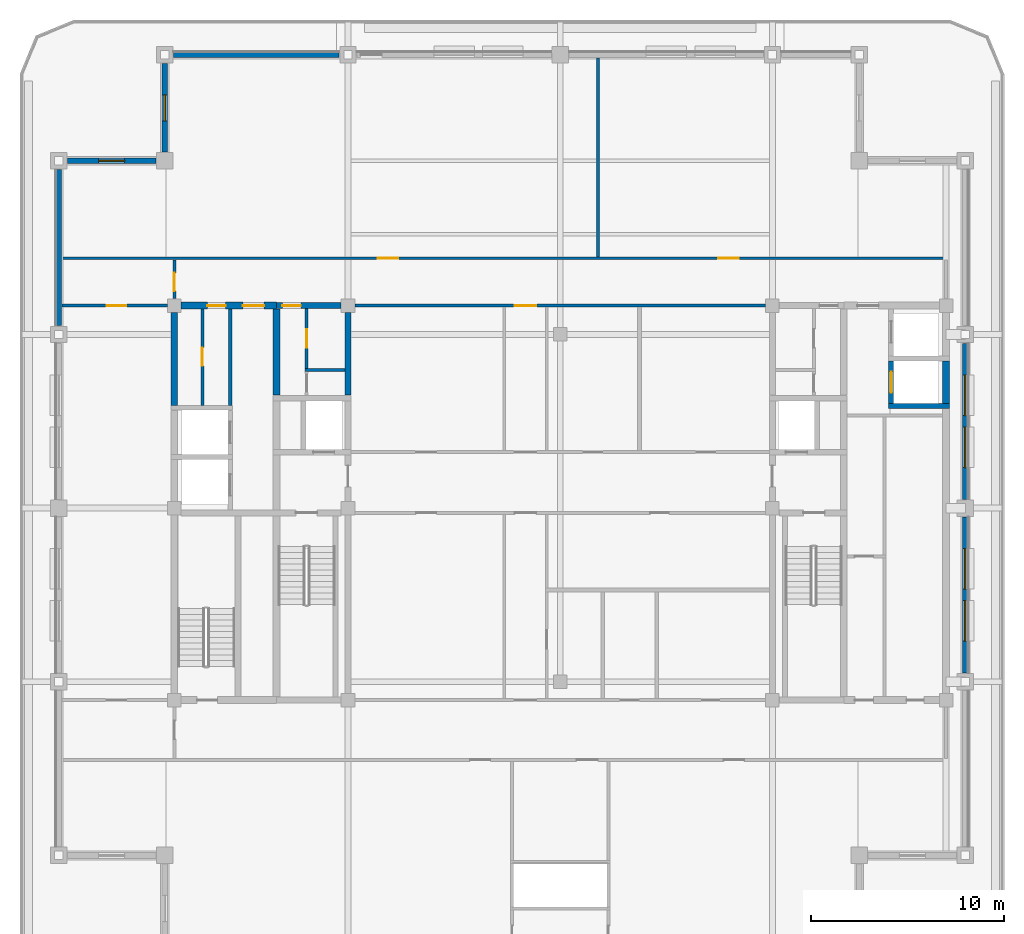
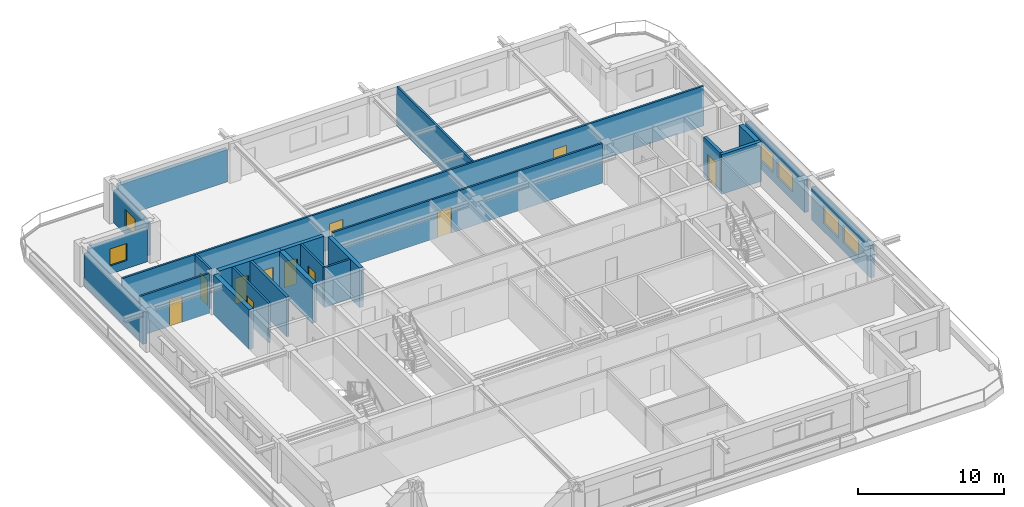
# One storey, part 5 of 11: 23 walls, 11 doors, 6 windows, 17 openings.
"""IFC4 building model written with IfcOpenShell, lengths in metres."""

import ifcopenshell
import ifcopenshell.guid

model = None  # the IFC model being written
_history = None  # IfcOwnerHistory: only IFC2X3 demands one
_inside = {}  # id of a spatial element -> (the spatial element, [elements in it])
_under = {}  # id of a project, library or spatial element -> (it, [spatial elements below it])
_declared = {}  # id of a project -> (the project, [libraries it declares])
_typed = {}  # id of a type object -> (the type object, [elements of that type])
_made_of = {}  # id of a material, layer set ... -> (it, [elements and type objects made of it])


def new_model(schema):
    """Start an empty IFC model of exactly this schema.

    Asked for "IFC4X3", IfcOpenShell would pick the latest addendum, in which some entities
    have other attributes; the version numbers below select the first issue.
    IFC2X3 requires an IfcOwnerHistory on every rooted entity: one is made here for all.
    """
    global model, _history
    if schema == "IFC4X3":
        model = ifcopenshell.file(schema_version=(4, 3, 0, 0))
    else:
        model = ifcopenshell.file(schema=schema)
    _inside.clear()
    _under.clear()
    _declared.clear()
    _typed.clear()
    _made_of.clear()
    _history = None
    if model.schema == "IFC2X3":
        org = make("IfcOrganization", Name="unknown")
        user = make(
            "IfcPersonAndOrganization",
            ThePerson=make("IfcPerson", FamilyName="unknown"),
            TheOrganization=org,
        )
        app = make(
            "IfcApplication",
            ApplicationDeveloper=org,
            Version="unknown",
            ApplicationFullName="unknown",
            ApplicationIdentifier="unknown",
        )
        _history = make(
            "IfcOwnerHistory",
            OwningUser=user,
            OwningApplication=app,
            ChangeAction="ADDED",
            CreationDate=0,
        )
    return model


def make(cls, **values):
    """One entity of the class cls with the attributes given. An attribute that is None is left unset."""
    return model.create_entity(
        cls, **{name: value for name, value in values.items() if value is not None}
    )


def rooted(cls, **values):
    """An entity with a GlobalId (a new one), such as an element, a storey or a relation."""
    return make(cls, GlobalId=ifcopenshell.guid.new(), OwnerHistory=_history, **values)


def si_unit(unit_type, name, prefix=None):
    """IfcSIUnit, for example si_unit("LENGTHUNIT", "METRE", prefix="MILLI")."""
    return make("IfcSIUnit", UnitType=unit_type, Prefix=prefix, Name=name)


def assignment(units):
    """IfcUnitAssignment: the units of a project."""
    return None if units is None else make("IfcUnitAssignment", Units=units)


def point(xyz):
    """IfcCartesianPoint."""
    return None if xyz is None else make("IfcCartesianPoint", Coordinates=xyz)


def direction(xyz):
    """IfcDirection."""
    return None if xyz is None else make("IfcDirection", DirectionRatios=xyz)


def frame(location, z_axis=None, x_axis=None):
    """IfcAxis2Placement3D, a coordinate frame: its origin and axes. An axis left out is left unset."""
    return make(
        "IfcAxis2Placement3D",
        Location=point(location),
        Axis=direction(z_axis),
        RefDirection=direction(x_axis),
    )


def frame_2d(location, x_axis=None):
    """IfcAxis2Placement2D, a coordinate frame in the plane: its origin and x axis."""
    return make(
        "IfcAxis2Placement2D", Location=point(location), RefDirection=direction(x_axis)
    )


def origin():
    """The frame at (0, 0, 0) with its axes left unset."""
    return frame((0.0, 0.0, 0.0))


def place(relative_to, where):
    """IfcLocalPlacement: puts the frame where relative to a parent placement (None: the world)."""
    return make(
        "IfcLocalPlacement", PlacementRelTo=relative_to, RelativePlacement=where
    )


def context(
    kind, dimensions, precision=None, world=None, true_north=None, identifier=None
):
    """IfcGeometricRepresentationContext, for example the 3D "Model" context."""
    return make(
        "IfcGeometricRepresentationContext",
        ContextIdentifier=identifier,
        ContextType=kind,
        CoordinateSpaceDimension=dimensions,
        Precision=precision,
        WorldCoordinateSystem=world,
        TrueNorth=true_north,
    )


def subcontext(parent, identifier, kind, view, scale=None):
    """IfcGeometricRepresentationSubContext, for example "Body" below "Model"."""
    return make(
        "IfcGeometricRepresentationSubContext",
        ContextIdentifier=identifier,
        ContextType=kind,
        ParentContext=parent,
        TargetScale=scale,
        TargetView=view,
    )


def project(units=None, contexts=None):
    """IfcProject with its units and contexts."""
    return rooted(
        "IfcProject",
        Name="project",
        RepresentationContexts=contexts,
        UnitsInContext=assignment(units),
    )


def spatial(cls, under=None, at=None, **own):
    """A site, building, storey or space (cls), placed at a placement, below another one or the project."""
    s = rooted(cls, ObjectPlacement=at, **own)
    if under is not None:
        _under.setdefault(under.id(), (under, []))[1].append(s)
    return s


def profile(cls, at=None, kind="AREA", **sizes):
    """A parametric profile (cls). Its sizes go by their IFC names, for example OverallWidth=200.0."""
    return make(cls, ProfileType=kind, Position=at, **sizes)


def rectangle(**sizes):
    """IfcRectangleProfileDef."""
    return profile("IfcRectangleProfileDef", **sizes)


def extrude(swept, where, along, depth):
    """IfcExtrudedAreaSolid: the profile swept, set in the frame where, extruded along a direction by depth."""
    return make(
        "IfcExtrudedAreaSolid",
        SweptArea=swept,
        Position=where,
        ExtrudedDirection=direction(along),
        Depth=depth,
    )


def shape(context_of_items, identifier, shape_type, items):
    """IfcShapeRepresentation: the items that make up one representation, for example the "Body"."""
    return make(
        "IfcShapeRepresentation",
        ContextOfItems=context_of_items,
        RepresentationIdentifier=identifier,
        RepresentationType=shape_type,
        Items=items,
    )


def material(Name=None, Category=None):
    """IfcMaterial."""
    return make("IfcMaterial", Name=Name, Category=Category)


def layer(
    of_material, thickness, ventilated=None, Name=None, Category=None, Priority=None
):
    """IfcMaterialLayer: one layer of a wall or slab, of a material (None: an air gap)."""
    return make(
        "IfcMaterialLayer",
        Material=of_material,
        LayerThickness=thickness,
        IsVentilated=ventilated,
        Name=Name,
        Category=Category,
        Priority=Priority,
    )


def layer_set(layers, Name=None):
    """IfcMaterialLayerSet."""
    return make("IfcMaterialLayerSet", MaterialLayers=layers, LayerSetName=Name)


def made_of(thing, what):
    """Note that an element or type object is made of a material, layer set ...; save() writes the relation."""
    if what is not None:
        _made_of.setdefault(what.id(), (what, []))[1].append(thing)
    return thing


def type_object(cls, material=None, **own):
    """A type object (cls), such as IfcWallType, which elements share."""
    return made_of(rooted(cls, **own), material)


def element(
    cls,
    number,
    at=None,
    inside=None,
    cuts=None,
    type_object=None,
    material=None,
    context=None,
    identifier="Body",
    shape_type=None,
    held_by="IfcProductDefinitionShape",
    body=None,
    shapes=None,
    **own,
):
    """One element of the class cls, such as IfcWall. Its Tag is "e" and its number.

    at: its placement. inside: the storey or other place that contains it. cuts: it is an
    opening in that element (IfcRelVoidsElement). A single representation is given by context,
    identifier, shape_type and body (its items); several are given by shapes. held_by: the class
    of the entity that holds the representations. save() writes the other relations.
    """
    e = rooted(cls, Tag="e%d" % number, ObjectPlacement=at, **own)
    if body is not None:
        shapes = [shape(context, identifier, shape_type, body)]
    if shapes is not None:
        e.Representation = make(held_by, Representations=shapes)
    if inside is not None:
        _inside.setdefault(inside.id(), (inside, []))[1].append(e)
    if cuts is not None:
        rooted(
            "IfcRelVoidsElement", RelatingBuildingElement=cuts, RelatedOpeningElement=e
        )
    if type_object is not None:
        _typed.setdefault(type_object.id(), (type_object, []))[1].append(e)
    return made_of(e, material)


def fill(opening, filler):
    """IfcRelFillsElement: the door or window that sits in an opening."""
    return rooted(
        "IfcRelFillsElement",
        RelatingOpeningElement=opening,
        RelatedBuildingElement=filler,
    )


def aggregate(whole, parts):
    """IfcRelAggregates: a whole, such as a stair, and the parts it consists of."""
    return rooted("IfcRelAggregates", RelatingObject=whole, RelatedObjects=parts)


def save(model, path):
    """Write the relations noted so far, then the file.

    IfcRelAggregates (storeys below a building ...), IfcRelContainedInSpatialStructure (elements
    in a storey), IfcRelDefinesByType, IfcRelAssociatesMaterial and IfcRelDeclares: one each for
    every whole, place, type object, material and project.
    """
    for whole, parts in _under.values():
        aggregate(whole, parts)
    for where, things in _inside.values():
        rooted(
            "IfcRelContainedInSpatialStructure",
            RelatedElements=things,
            RelatingStructure=where,
        )
    for kind, things in _typed.values():
        rooted("IfcRelDefinesByType", RelatedObjects=things, RelatingType=kind)
    for what, things in _made_of.values():
        rooted("IfcRelAssociatesMaterial", RelatedObjects=things, RelatingMaterial=what)
    for by, libraries in _declared.values():
        rooted("IfcRelDeclares", RelatingContext=by, RelatedDefinitions=libraries)
    model.write(path)


model = new_model("IFC4")

# Units and contexts
model_context = context("Model", 3, precision=1e-05, world=origin(), true_north=direction((0.0, 1.0)))
body_context = subcontext(model_context, "Body", "Model", "MODEL_VIEW")
ifc_project = project(units=[si_unit("LENGTHUNIT", "METRE"), si_unit("AREAUNIT", "SQUARE_METRE"), si_unit("VOLUMEUNIT", "CUBIC_METRE"), si_unit("PLANEANGLEUNIT", "RADIAN"), si_unit("MASSUNIT", "GRAM", prefix="KILO")], contexts=[model_context])

# Site, building, storey
site_placement = place(None, origin())
site = spatial("IfcSite", under=ifc_project, at=site_placement, CompositionType="ELEMENT")
building_placement = place(site_placement, origin())
building = spatial("IfcBuilding", under=site, at=building_placement, Name="Zulmaris Gate Convention Tower", CompositionType="ELEMENT")
storey_placement = place(building_placement, frame((0.0, 0.0, 274.320068359375)))
storey = spatial("IfcBuildingStorey", under=building, at=storey_placement, Name="L73", CompositionType="ELEMENT", Elevation=274.320068359375)

# Wall
ifc_material_1 = material(Name="Concrete C50/60", Category="concrete")
ifc_layer_1 = layer(ifc_material_1, 0.25, Name="Concrete C50/60")
ifc_layer_set_1 = layer_set([ifc_layer_1], Name="Concrete C50/60")
wall_type_1 = type_object("IfcWallType", Name="CORE-250", PredefinedType="SOLIDWALL", material=ifc_layer_set_1)
wall_1_placement = place(storey_placement, frame((17.02490234375, 5.300048828125, 0.0), z_axis=(0.0, 0.0, 1.0), x_axis=(1.0, 0.0, 0.0)))
element("IfcWall", 1, at=wall_1_placement, inside=storey, type_object=wall_type_1, Name="WL-L73-011", PredefinedType="SOLIDWALL", context=body_context, shape_type="SweptSolid", body=[
    extrude(rectangle(XDim=3.150146484375, YDim=0.25, at=frame_2d((1.5751953125, 0.0))), origin(), (0.0, 0.0, 1.0), 3.31494140625),
])

# Wall, opening, door
wall_2_placement = place(storey_placement, frame((17.14990234375, 5.427001953125, 0.0), z_axis=(0.0, 0.0, 1.0), x_axis=(0.0, 1.0, 0.0)))
wall_2 = element("IfcWall", 2, at=wall_2_placement, inside=storey, type_object=wall_type_1, Name="WL-L73-061", PredefinedType="SOLIDWALL", context=body_context, shape_type="SweptSolid", body=[
    extrude(rectangle(XDim=2.196044921875, YDim=0.25, at=frame_2d((1.09814453125, 0.0))), origin(), (0.0, 0.0, 1.0), 3.31494140625),
])
opening_1_placement = place(wall_2_placement, frame((0.548095703125, 0.0, 0.0)))
opening_1 = element("IfcOpeningElement", 3, at=opening_1_placement, cuts=wall_2, Name="Opening D-06", PredefinedType="OPENING", context=body_context, shape_type="SweptSolid", body=[
    extrude(rectangle(XDim=1.10009765625, YDim=2.199951171875, at=frame_2d((0.550048828125, 1.10009765625))), frame((0.0, 0.135009765625, 0.0), z_axis=(0.0, -1.0, 0.0), x_axis=(1.0, 0.0, 0.0)), (0.0, 0.0, 1.0), 0.27001953125),
])
ifc_material_2 = material(Name="Brushed Stainless Steel", Category="steel")
door_type_1 = type_object("IfcDoorType", Name="LD-1100", OperationType="NOTDEFINED", PredefinedType="DOOR", material=ifc_material_2)
door_1_placement = place(opening_1_placement, origin())
door_1 = element("IfcDoor", 4, at=door_1_placement, inside=storey, type_object=door_type_1, Name="L73 Lift Landing Door HP-01 19", OperationType="SLIDING_TO_RIGHT", OverallHeight=2.199951171875, OverallWidth=1.10009765625, PredefinedType="DOOR", context=body_context, shape_type="SweptSolid", body=[
    extrude(rectangle(XDim=1.10009765625, YDim=2.199951171875, at=frame_2d((0.550048828125, 1.10009765625))), frame((0.0, 0.02490234375, 0.0), z_axis=(0.0, -1.0, 0.0), x_axis=(1.0, 0.0, 0.0)), (0.0, 0.0, 1.0), 0.050048828125),
])
fill(opening_1, door_1)

ifc_layer_2 = layer(ifc_material_1, 0.300048828125, Name="Concrete C50/60")
ifc_layer_set_2 = layer_set([ifc_layer_2], Name="Concrete C50/60")
wall_type_2 = type_object("IfcWallType", Name="CORE-300", PredefinedType="SHEAR", material=ifc_layer_set_2)
wall_3_placement = place(storey_placement, frame((-14.699951171875, 10.5, 0.0), z_axis=(0.0, 0.0, 1.0), x_axis=(1.0, 0.0, 0.0)))
wall_3 = element("IfcWall", 5, at=wall_3_placement, inside=storey, type_object=wall_type_2, Name="WL-L73-016", PredefinedType="SHEAR", context=body_context, shape_type="SweptSolid", body=[
    extrude(rectangle(XDim=3.345947265625, YDim=0.300048828125, at=frame_2d((1.6728515625, 0.0))), origin(), (0.0, 0.0, 1.0), 3.31494140625),
])
opening_2_placement = place(wall_3_placement, frame((0.304931640625, 0.0, 0.0)))
opening_2 = element("IfcOpeningElement", 6, at=opening_2_placement, cuts=wall_3, Name="Opening D-11", PredefinedType="OPENING", context=body_context, shape_type="SweptSolid", body=[
    extrude(rectangle(XDim=0.949951171875, YDim=2.14990234375, at=frame_2d((0.47509765625, 1.074951171875))), frame((0.0, 0.16015625, 0.0), z_axis=(0.0, -1.0, 0.0), x_axis=(1.0, 0.0, 0.0)), (0.0, 0.0, 1.0), 0.320068359375),
])
ifc_material_3 = material(Name="Fire-Rated Timber", Category="wood")
door_type_2 = type_object("IfcDoorType", Name="DR-950-FD", OperationType="NOTDEFINED", PredefinedType="DOOR", material=ifc_material_3)
door_2_placement = place(opening_2_placement, origin())
door_2 = element("IfcDoor", 7, at=door_2_placement, inside=storey, type_object=door_type_2, Name="L73 Core West Passage Door 07", OperationType="SINGLE_SWING_RIGHT", OverallHeight=2.14990234375, OverallWidth=0.949951171875, PredefinedType="DOOR", context=body_context, shape_type="SweptSolid", body=[
    extrude(rectangle(XDim=0.949951171875, YDim=2.14990234375, at=frame_2d((0.47509765625, 1.074951171875))), frame((0.0, 0.02490234375, 0.0), z_axis=(0.0, -1.0, 0.0), x_axis=(1.0, 0.0, 0.0)), (0.0, 0.0, 1.0), 0.050048828125),
])
fill(opening_2, door_2)

# Wall
wall_4_placement = place(storey_placement, frame((-11.0, 5.85205078125, 0.0), z_axis=(0.0, 0.0, 1.0), x_axis=(0.0, 1.0, 0.0)))
element("IfcWall", 8, at=wall_4_placement, inside=storey, type_object=wall_type_2, Name="WL-L73-050", PredefinedType="SHEAR", context=body_context, shape_type="SweptSolid", body=[
    extrude(rectangle(XDim=4.2939453125, YDim=0.300048828125, at=frame_2d((2.14697265625, 0.0))), origin(), (0.0, 0.0, 1.0), 3.31494140625),
])

# Wall, openings, doors
ifc_material_4 = material(Name="Concrete C55/67", Category="concrete")
ifc_layer_3 = layer(ifc_material_4, 0.35009765625, Name="Concrete C55/67")
ifc_layer_set_3 = layer_set([ifc_layer_3], Name="Concrete C55/67")
wall_type_3 = type_object("IfcWallType", Name="CORE-350", PredefinedType="SHEAR", material=ifc_layer_set_3)
wall_5_placement = place(storey_placement, frame((-19.64599609375, 10.5, 0.0), z_axis=(0.0, 0.0, 1.0), x_axis=(1.0, 0.0, 0.0)))
wall_5 = element("IfcWall", 9, at=wall_5_placement, inside=storey, type_object=wall_type_3, Name="WL-L73-015", PredefinedType="SHEAR", context=body_context, shape_type="SweptSolid", body=[
    extrude(rectangle(XDim=4.946044921875, YDim=0.35009765625, at=frame_2d((2.47314453125, 0.0))), origin(), (0.0, 0.0, 1.0), 3.31494140625),
])
opening_3_placement = place(wall_5_placement, frame((3.196044921875, 0.0, 0.0)))
opening_3 = element("IfcOpeningElement", 10, at=opening_3_placement, cuts=wall_5, Name="Opening D-08", PredefinedType="OPENING", context=body_context, shape_type="SweptSolid", body=[
    extrude(rectangle(XDim=1.10009765625, YDim=2.14990234375, at=frame_2d((0.550048828125, 1.074951171875))), frame((0.0, 0.18505859375, 0.0), z_axis=(0.0, -1.0, 0.0), x_axis=(1.0, 0.0, 0.0)), (0.0, 0.0, 1.0), 0.3701171875),
])
opening_4_placement = place(wall_5_placement, frame((1.35107421875, 0.0, 0.0)))
opening_4 = element("IfcOpeningElement", 11, at=opening_4_placement, cuts=wall_5, Name="Opening D-11", PredefinedType="OPENING", context=body_context, shape_type="SweptSolid", body=[
    extrude(rectangle(XDim=0.949951171875, YDim=2.14990234375, at=frame_2d((0.47509765625, 1.074951171875))), frame((0.0, 0.18505859375, 0.0), z_axis=(0.0, -1.0, 0.0), x_axis=(1.0, 0.0, 0.0)), (0.0, 0.0, 1.0), 0.3701171875),
])
ifc_material_5 = material(Name="Fire-Rated Steel", Category="steel")
door_type_3 = type_object("IfcDoorType", Name="DR-1100-FD", OperationType="NOTDEFINED", PredefinedType="DOOR", material=ifc_material_5)
door_3_placement = place(opening_3_placement, origin())
door_3 = element("IfcDoor", 12, at=door_3_placement, inside=storey, type_object=door_type_3, Name="L73 High-Rise West Lift Lobby Door 16", OperationType="SINGLE_SWING_LEFT", OverallHeight=2.14990234375, OverallWidth=1.10009765625, PredefinedType="DOOR", context=body_context, shape_type="SweptSolid", body=[
    extrude(rectangle(XDim=1.10009765625, YDim=2.14990234375, at=frame_2d((0.550048828125, 1.074951171875))), frame((0.0, 0.02490234375, 0.0), z_axis=(0.0, -1.0, 0.0), x_axis=(1.0, 0.0, 0.0)), (0.0, 0.0, 1.0), 0.050048828125),
])
fill(opening_3, door_3)
door_4_placement = place(opening_4_placement, origin())
door_4 = element("IfcDoor", 13, at=door_4_placement, inside=storey, type_object=door_type_2, Name="L73 Tray Closet Door 17", OperationType="SINGLE_SWING_RIGHT", OverallHeight=2.14990234375, OverallWidth=0.949951171875, PredefinedType="DOOR", context=body_context, shape_type="SweptSolid", body=[
    extrude(rectangle(XDim=0.949951171875, YDim=2.14990234375, at=frame_2d((0.47509765625, 1.074951171875))), frame((0.0, 0.02490234375, 0.0), z_axis=(0.0, -1.0, 0.0), x_axis=(1.0, 0.0, 0.0)), (0.0, 0.0, 1.0), 0.050048828125),
])
fill(opening_4, door_4)

# Walls
wall_6_placement = place(storey_placement, frame((-20.0, 5.326904296875, 0.0), z_axis=(0.0, 0.0, 1.0), x_axis=(0.0, 1.0, 0.0)))
element("IfcWall", 14, at=wall_6_placement, inside=storey, type_object=wall_type_3, Name="WL-L73-037", PredefinedType="SHEAR", context=body_context, shape_type="SweptSolid", body=[
    extrude(rectangle(XDim=4.819091796875, YDim=0.35009765625, at=frame_2d((2.40966796875, 0.0))), origin(), (0.0, 0.0, 1.0), 3.31494140625),
])
wall_7_placement = place(storey_placement, frame((-14.699951171875, 5.85205078125, 0.0), z_axis=(0.0, 0.0, 1.0), x_axis=(0.0, 1.0, 0.0)))
element("IfcWall", 15, at=wall_7_placement, inside=storey, type_object=wall_type_3, Name="WL-L73-044", PredefinedType="SHEAR", context=body_context, shape_type="SweptSolid", body=[
    extrude(rectangle(XDim=4.470947265625, YDim=0.35009765625, at=frame_2d((2.2353515625, 0.0))), origin(), (0.0, 0.0, 1.0), 3.31494140625),
])
wall_8_placement = place(storey_placement, frame((20.0, 5.427001953125, 0.0), z_axis=(0.0, 0.0, 1.0), x_axis=(0.0, 1.0, 0.0)))
element("IfcWall", 16, at=wall_8_placement, inside=storey, type_object=wall_type_3, Name="WL-L73-064", PredefinedType="SHEAR", context=body_context, shape_type="SweptSolid", body=[
    extrude(rectangle(XDim=2.196044921875, YDim=0.35009765625, at=frame_2d((1.09814453125, 0.0))), origin(), (0.0, 0.0, 1.0), 3.31494140625),
])
ifc_material_6 = material(Name="Gypsum Metal Stud Partition")
ifc_layer_4 = layer(ifc_material_6, 0.14990234375, Name="Gypsum Metal Stud Partition")
ifc_layer_set_4 = layer_set([ifc_layer_4], Name="Gypsum Metal Stud Partition")
wall_type_4 = type_object("IfcWallType", Name="PART-150", PredefinedType="PARTITIONING", material=ifc_layer_set_4)
wall_9_placement = place(storey_placement, frame((-13.22509765625, 7.14990234375, 0.0), z_axis=(0.0, 0.0, 1.0), x_axis=(1.0, 0.0, 0.0)))
element("IfcWall", 17, at=wall_9_placement, inside=storey, type_object=wall_type_4, Name="WL-L73-029", PredefinedType="PARTITIONING", context=body_context, shape_type="SweptSolid", body=[
    extrude(rectangle(XDim=2.072021484375, YDim=0.14990234375, at=frame_2d((1.0361328125, 0.0))), origin(), (0.0, 0.0, 1.0), 3.31494140625),
])

# Wall, opening, door
wall_10_placement = place(storey_placement, frame((-25.8349609375, 10.5, 0.0), z_axis=(0.0, 0.0, 1.0), x_axis=(1.0, 0.0, 0.0)))
wall_10 = element("IfcWall", 18, at=wall_10_placement, inside=storey, type_object=wall_type_4, Name="WL-L73-031", PredefinedType="PARTITIONING", context=body_context, shape_type="SweptSolid", body=[
    extrude(rectangle(XDim=5.47900390625, YDim=0.14990234375, at=frame_2d((2.739501953125, 0.0))), origin(), (0.0, 0.0, 1.0), 3.31494140625),
])
opening_5_placement = place(wall_10_placement, frame((2.3349609375, 0.0, 0.0)))
opening_5 = element("IfcOpeningElement", 19, at=opening_5_placement, cuts=wall_10, Name="Opening D-10", PredefinedType="OPENING", context=body_context, shape_type="SweptSolid", body=[
    extrude(rectangle(XDim=1.0, YDim=2.14990234375, at=frame_2d((0.5, 1.074951171875))), frame((0.0, 0.0849609375, 0.0), z_axis=(0.0, -1.0, 0.0), x_axis=(1.0, 0.0, 0.0)), (0.0, 0.0, 1.0), 0.169921875),
])
door_type_4 = type_object("IfcDoorType", Name="DR-1000-FD", OperationType="NOTDEFINED", PredefinedType="DOOR", material=ifc_material_3)
door_5_placement = place(opening_5_placement, origin())
door_5 = element("IfcDoor", 20, at=door_5_placement, inside=storey, type_object=door_type_4, Name="L73 West Workplace North Door 46", OperationType="SINGLE_SWING_LEFT", OverallHeight=2.14990234375, OverallWidth=1.0, PredefinedType="DOOR", context=body_context, shape_type="SweptSolid", body=[
    extrude(rectangle(XDim=1.0, YDim=2.14990234375, at=frame_2d((0.5, 1.074951171875))), frame((0.0, 0.02490234375, 0.0), z_axis=(0.0, -1.0, 0.0), x_axis=(1.0, 0.0, 0.0)), (0.0, 0.0, 1.0), 0.050048828125),
])
fill(opening_5, door_5)

wall_11_placement = place(storey_placement, frame((-10.64404296875, 10.5, 0.0), z_axis=(0.0, 0.0, 1.0), x_axis=(1.0, 0.0, 0.0)))
wall_11 = element("IfcWall", 21, at=wall_11_placement, inside=storey, type_object=wall_type_4, Name="WL-L73-032", PredefinedType="PARTITIONING", context=body_context, shape_type="SweptSolid", body=[
    extrude(rectangle(XDim=21.2880859375, YDim=0.14990234375, at=frame_2d((10.64404296875, 0.0))), origin(), (0.0, 0.0, 1.0), 3.31494140625),
])
opening_6_placement = place(wall_11_placement, frame((8.2939453125, 0.0, 0.0)))
opening_6 = element("IfcOpeningElement", 22, at=opening_6_placement, cuts=wall_11, Name="Opening D-08", PredefinedType="OPENING", context=body_context, shape_type="SweptSolid", body=[
    extrude(rectangle(XDim=1.10009765625, YDim=2.14990234375, at=frame_2d((0.550048828125, 1.074951171875))), frame((0.0, 0.0849609375, 0.0), z_axis=(0.0, -1.0, 0.0), x_axis=(1.0, 0.0, 0.0)), (0.0, 0.0, 1.0), 0.169921875),
])
door_6_placement = place(opening_6_placement, origin())
door_6 = element("IfcDoor", 23, at=door_6_placement, inside=storey, type_object=door_type_3, Name="L73 Exec North Link Door 25", OperationType="SINGLE_SWING_RIGHT", OverallHeight=2.14990234375, OverallWidth=1.10009765625, PredefinedType="DOOR", context=body_context, shape_type="SweptSolid", body=[
    extrude(rectangle(XDim=1.10009765625, YDim=2.14990234375, at=frame_2d((0.550048828125, 1.074951171875))), frame((0.0, 0.02490234375, 0.0), z_axis=(0.0, -1.0, 0.0), x_axis=(1.0, 0.0, 0.0)), (0.0, 0.0, 1.0), 0.050048828125),
])
fill(opening_6, door_6)

# Wall, openings, doors
wall_12_placement = place(storey_placement, frame((-25.8349609375, 12.949951171875, 0.0), z_axis=(0.0, 0.0, 1.0), x_axis=(1.0, 0.0, 0.0)))
wall_12 = element("IfcWall", 24, at=wall_12_placement, inside=storey, type_object=wall_type_4, Name="WL-L73-033", PredefinedType="PARTITIONING", context=body_context, shape_type="SweptSolid", body=[
    extrude(rectangle(XDim=45.909912109375, YDim=0.14990234375, at=frame_2d((22.955078125, 0.0))), origin(), (0.0, 0.0, 1.0), 3.31494140625),
])
opening_7_placement = place(wall_12_placement, frame((16.3798828125, 0.0, 0.0)))
opening_7 = element("IfcOpeningElement", 25, at=opening_7_placement, cuts=wall_12, Name="Opening D-09", PredefinedType="OPENING", context=body_context, shape_type="SweptSolid", body=[
    extrude(rectangle(XDim=1.050048828125, YDim=2.14990234375, at=frame_2d((0.52490234375, 1.074951171875))), frame((0.0, 0.0849609375, 0.0), z_axis=(0.0, -1.0, 0.0), x_axis=(1.0, 0.0, 0.0)), (0.0, 0.0, 1.0), 0.169921875),
])
opening_8_placement = place(wall_12_placement, frame((34.030029296875, 0.0, 0.0)))
opening_8 = element("IfcOpeningElement", 26, at=opening_8_placement, cuts=wall_12, Name="Opening D-09", PredefinedType="OPENING", context=body_context, shape_type="SweptSolid", body=[
    extrude(rectangle(XDim=1.050048828125, YDim=2.14990234375, at=frame_2d((0.52490234375, 1.074951171875))), frame((0.0, 0.0849609375, 0.0), z_axis=(0.0, -1.0, 0.0), x_axis=(1.0, 0.0, 0.0)), (0.0, 0.0, 1.0), 0.169921875),
])
door_type_5 = type_object("IfcDoorType", Name="DR-1050-FD", OperationType="NOTDEFINED", PredefinedType="DOOR", material=ifc_material_5)
door_7_placement = place(opening_7_placement, origin())
door_7 = element("IfcDoor", 27, at=door_7_placement, inside=storey, type_object=door_type_5, Name="L73 Executive Boardroom Door 29", OperationType="SINGLE_SWING_RIGHT", OverallHeight=2.14990234375, OverallWidth=1.050048828125, PredefinedType="DOOR", context=body_context, shape_type="SweptSolid", body=[
    extrude(rectangle(XDim=1.050048828125, YDim=2.14990234375, at=frame_2d((0.52490234375, 1.074951171875))), frame((0.0, 0.02490234375, 0.0), z_axis=(0.0, -1.0, 0.0), x_axis=(1.0, 0.0, 0.0)), (0.0, 0.0, 1.0), 0.050048828125),
])
fill(opening_7, door_7)
door_8_placement = place(opening_8_placement, origin())
door_8 = element("IfcDoor", 28, at=door_8_placement, inside=storey, type_object=door_type_5, Name="L73 Corporate Strategy Office Door 30", OperationType="SINGLE_SWING_LEFT", OverallHeight=2.14990234375, OverallWidth=1.050048828125, PredefinedType="DOOR", context=body_context, shape_type="SweptSolid", body=[
    extrude(rectangle(XDim=1.050048828125, YDim=2.14990234375, at=frame_2d((0.52490234375, 1.074951171875))), frame((0.0, 0.02490234375, 0.0), z_axis=(0.0, -1.0, 0.0), x_axis=(1.0, 0.0, 0.0)), (0.0, 0.0, 1.0), 0.050048828125),
])
fill(opening_8, door_8)

# Wall, opening, door
wall_13_placement = place(storey_placement, frame((-20.0, 10.85595703125, 0.0), z_axis=(0.0, 0.0, 1.0), x_axis=(0.0, 1.0, 0.0)))
wall_13 = element("IfcWall", 29, at=wall_13_placement, inside=storey, type_object=wall_type_4, Name="WL-L73-067", PredefinedType="PARTITIONING", context=body_context, shape_type="SweptSolid", body=[
    extrude(rectangle(XDim=2.01611328125, YDim=0.14990234375, at=frame_2d((1.008056640625, 0.0))), origin(), (0.0, 0.0, 1.0), 3.31494140625),
])
opening_9_placement = place(wall_13_placement, frame((0.388916015625, 0.0, 0.0)))
opening_9 = element("IfcOpeningElement", 30, at=opening_9_placement, cuts=wall_13, Name="Opening D-11", PredefinedType="OPENING", context=body_context, shape_type="SweptSolid", body=[
    extrude(rectangle(XDim=0.949951171875, YDim=2.14990234375, at=frame_2d((0.47509765625, 1.074951171875))), frame((0.0, 0.0849609375, 0.0), z_axis=(0.0, -1.0, 0.0), x_axis=(1.0, 0.0, 0.0)), (0.0, 0.0, 1.0), 0.169921875),
])
door_9_placement = place(opening_9_placement, origin())
door_9 = element("IfcDoor", 31, at=door_9_placement, inside=storey, type_object=door_type_2, Name="L73 NW Spur Door 44", OperationType="SINGLE_SWING_LEFT", OverallHeight=2.14990234375, OverallWidth=0.949951171875, PredefinedType="DOOR", context=body_context, shape_type="SweptSolid", body=[
    extrude(rectangle(XDim=0.949951171875, YDim=2.14990234375, at=frame_2d((0.47509765625, 1.074951171875))), frame((0.0, 0.02490234375, 0.0), z_axis=(0.0, -1.0, 0.0), x_axis=(1.0, 0.0, 0.0)), (0.0, 0.0, 1.0), 0.050048828125),
])
fill(opening_9, door_9)

wall_14_placement = place(storey_placement, frame((-18.550048828125, 5.327880859375, 0.0), z_axis=(0.0, 0.0, 1.0), x_axis=(0.0, 1.0, 0.0)))
wall_14 = element("IfcWall", 32, at=wall_14_placement, inside=storey, type_object=wall_type_4, Name="WL-L73-068", PredefinedType="PARTITIONING", context=body_context, shape_type="SweptSolid", body=[
    extrude(rectangle(XDim=4.994140625, YDim=0.14990234375, at=frame_2d((2.4970703125, 0.0))), origin(), (0.0, 0.0, 1.0), 3.31494140625),
])
opening_10_placement = place(wall_14_placement, frame((2.047119140625, 0.0, 0.0)))
opening_10 = element("IfcOpeningElement", 33, at=opening_10_placement, cuts=wall_14, Name="Opening D-11", PredefinedType="OPENING", context=body_context, shape_type="SweptSolid", body=[
    extrude(rectangle(XDim=0.949951171875, YDim=2.14990234375, at=frame_2d((0.47509765625, 1.074951171875))), frame((0.0, 0.0849609375, 0.0), z_axis=(0.0, -1.0, 0.0), x_axis=(1.0, 0.0, 0.0)), (0.0, 0.0, 1.0), 0.169921875),
])
door_10_placement = place(opening_10_placement, origin())
door_10 = element("IfcDoor", 34, at=door_10_placement, inside=storey, type_object=door_type_2, Name="L73 Housekeeping Door 18", OperationType="SINGLE_SWING_LEFT", OverallHeight=2.14990234375, OverallWidth=0.949951171875, PredefinedType="DOOR", context=body_context, shape_type="SweptSolid", body=[
    extrude(rectangle(XDim=0.949951171875, YDim=2.14990234375, at=frame_2d((0.47509765625, 1.074951171875))), frame((0.0, 0.02490234375, 0.0), z_axis=(0.0, -1.0, 0.0), x_axis=(1.0, 0.0, 0.0)), (0.0, 0.0, 1.0), 0.050048828125),
])
fill(opening_10, door_10)

wall_15_placement = place(storey_placement, frame((-13.14990234375, 7.22802734375, 0.0), z_axis=(0.0, 0.0, 1.0), x_axis=(0.0, 1.0, 0.0)))
wall_15 = element("IfcWall", 35, at=wall_15_placement, inside=storey, type_object=wall_type_4, Name="WL-L73-071", PredefinedType="PARTITIONING", context=body_context, shape_type="SweptSolid", body=[
    extrude(rectangle(XDim=3.118896484375, YDim=0.14990234375, at=frame_2d((1.5595703125, 0.0))), origin(), (0.0, 0.0, 1.0), 3.31494140625),
])
opening_11_placement = place(wall_15_placement, frame((1.096923828125, 0.0, 0.0)))
opening_11 = element("IfcOpeningElement", 36, at=opening_11_placement, cuts=wall_15, Name="Opening D-11", PredefinedType="OPENING", context=body_context, shape_type="SweptSolid", body=[
    extrude(rectangle(XDim=0.949951171875, YDim=2.14990234375, at=frame_2d((0.47509765625, 1.074951171875))), frame((0.0, 0.0849609375, 0.0), z_axis=(0.0, -1.0, 0.0), x_axis=(1.0, 0.0, 0.0)), (0.0, 0.0, 1.0), 0.169921875),
])
door_11_placement = place(opening_11_placement, origin())
door_11 = element("IfcDoor", 37, at=door_11_placement, inside=storey, type_object=door_type_2, Name="L73 Meter Closet Door 09", OperationType="SINGLE_SWING_RIGHT", OverallHeight=2.14990234375, OverallWidth=0.949951171875, PredefinedType="DOOR", context=body_context, shape_type="SweptSolid", body=[
    extrude(rectangle(XDim=0.949951171875, YDim=2.14990234375, at=frame_2d((0.47509765625, 1.074951171875))), frame((0.0, 0.02490234375, 0.0), z_axis=(0.0, -1.0, 0.0), x_axis=(1.0, 0.0, 0.0)), (0.0, 0.0, 1.0), 0.050048828125),
])
fill(opening_11, door_11)

# Walls
wall_16_placement = place(storey_placement, frame((1.949951171875, 13.028076171875, 0.0), z_axis=(0.0, 0.0, 1.0), x_axis=(0.0, 1.0, 0.0)))
element("IfcWall", 38, at=wall_16_placement, inside=storey, type_object=wall_type_4, Name="WL-L73-080", PredefinedType="PARTITIONING", context=body_context, shape_type="SweptSolid", body=[
    extrude(rectangle(XDim=10.306884765625, YDim=0.14990234375, at=frame_2d((5.1533203125, 0.0))), origin(), (0.0, 0.0, 1.0), 3.31494140625),
])
ifc_material_7 = material(Name="Autoclaved Aerated Concrete Block and Plasterboard", Category="concrete")
ifc_layer_5 = layer(ifc_material_7, 0.199951171875, Name="Autoclaved Aerated Concrete Block and Plasterboard")
ifc_layer_set_5 = layer_set([ifc_layer_5], Name="Autoclaved Aerated Concrete Block and Plasterboard")
wall_type_5 = type_object("IfcWallType", Name="PART-200", PredefinedType="PARTITIONING", material=ifc_layer_set_5)
wall_17_placement = place(storey_placement, frame((-17.10009765625, 5.327880859375, 0.0), z_axis=(0.0, 0.0, 1.0), x_axis=(0.0, 1.0, 0.0)))
element("IfcWall", 39, at=wall_17_placement, inside=storey, type_object=wall_type_5, Name="WL-L73-069", PredefinedType="PARTITIONING", context=body_context, shape_type="SweptSolid", body=[
    extrude(rectangle(XDim=4.994140625, YDim=0.199951171875, at=frame_2d((2.4970703125, 0.0))), origin(), (0.0, 0.0, 1.0), 3.31494140625),
])

# Wall, opening, window
ifc_material_8 = material(Name="Precast concrete C40/50", Category="concrete")
ifc_layer_6 = layer(ifc_material_8, 0.300048828125, Name="Precast concrete C40/50")
ifc_layer_set_6 = layer_set([ifc_layer_6], Name="Precast concrete C40/50")
wall_type_6 = type_object("IfcWallType", Name="PRECAST-PIER-300", PredefinedType="STANDARD", material=ifc_layer_set_6)
wall_18_placement = place(storey_placement, frame((-20.5, 23.044921875, 0.0), z_axis=(0.0, 0.0, 1.0), x_axis=(0.0, -1.0, 0.0)))
wall_18 = element("IfcWall", 40, at=wall_18_placement, inside=storey, type_object=wall_type_6, Name="EW-L73-NOTCH-NW1_0", PredefinedType="STANDARD", context=body_context, shape_type="SweptSolid", body=[
    extrude(rectangle(XDim=4.58984375, YDim=0.300048828125, at=frame_2d((2.294921875, 0.0))), origin(), (0.0, 0.0, 1.0), 2.70703125),
])
opening_12_placement = place(wall_18_placement, frame((1.6201171875, 0.0, 0.679931640625)))
opening_12 = element("IfcOpeningElement", 41, at=opening_12_placement, cuts=wall_18, Name="Opening W-10", PredefinedType="OPENING", context=body_context, shape_type="SweptSolid", body=[
    extrude(rectangle(XDim=1.35009765625, YDim=1.419921875, at=frame_2d((0.675048828125, 0.7099609375))), frame((0.0, 0.16015625, 0.0), z_axis=(0.0, -1.0, 0.0), x_axis=(1.0, 0.0, 0.0)), (0.0, 0.0, 1.0), 0.320068359375),
])
ifc_material_9 = material(Name="Low-E Laminated Double Glazing in Aluminium Frame", Category="aluminium")
window_type_1 = type_object("IfcWindowType", Name="WIN-1350x2000", PartitioningType="SINGLE_PANEL", PredefinedType="WINDOW", material=ifc_material_9)
window_1_placement = place(opening_12_placement, origin())
window_1 = element("IfcWindow", 42, at=window_1_placement, inside=storey, type_object=window_type_1, Name="WN-EW-L73-NOTCH-NW1_0", OverallHeight=1.419921875, OverallWidth=1.35009765625, PartitioningType="SINGLE_PANEL", PredefinedType="WINDOW", context=body_context, shape_type="SweptSolid", body=[
    extrude(rectangle(XDim=1.35009765625, YDim=1.419921875, at=frame_2d((0.675048828125, 0.7099609375))), frame((0.0, 0.030029296875, 0.0), z_axis=(0.0, -1.0, 0.0), x_axis=(1.0, 0.0, 0.0)), (0.0, 0.0, 1.0), 0.06005859375),
])
fill(opening_12, window_1)

wall_19_placement = place(storey_placement, frame((-20.955078125, 18.0, 0.0), z_axis=(0.0, 0.0, 1.0), x_axis=(-1.0, 0.0, 0.0)))
wall_19 = element("IfcWall", 43, at=wall_19_placement, inside=storey, type_object=wall_type_6, Name="EW-L73-NOTCH-NW2_0", PredefinedType="STANDARD", context=body_context, shape_type="SweptSolid", body=[
    extrude(rectangle(XDim=4.58984375, YDim=0.300048828125, at=frame_2d((2.294921875, 0.0))), origin(), (0.0, 0.0, 1.0), 2.70703125),
])
opening_13_placement = place(wall_19_placement, frame((1.6201171875, 0.0, 0.679931640625)))
opening_13 = element("IfcOpeningElement", 44, at=opening_13_placement, cuts=wall_19, Name="Opening W-10", PredefinedType="OPENING", context=body_context, shape_type="SweptSolid", body=[
    extrude(rectangle(XDim=1.35009765625, YDim=1.419921875, at=frame_2d((0.675048828125, 0.7099609375))), frame((0.0, 0.16015625, 0.0), z_axis=(0.0, -1.0, 0.0), x_axis=(1.0, 0.0, 0.0)), (0.0, 0.0, 1.0), 0.320068359375),
])
window_2_placement = place(opening_13_placement, origin())
window_2 = element("IfcWindow", 45, at=window_2_placement, inside=storey, type_object=window_type_1, Name="WN-EW-L73-NOTCH-NW2_0", OverallHeight=1.419921875, OverallWidth=1.35009765625, PartitioningType="SINGLE_PANEL", PredefinedType="WINDOW", context=body_context, shape_type="SweptSolid", body=[
    extrude(rectangle(XDim=1.35009765625, YDim=1.419921875, at=frame_2d((0.675048828125, 0.7099609375))), frame((0.0, 0.030029296875, 0.0), z_axis=(0.0, -1.0, 0.0), x_axis=(1.0, 0.0, 0.0)), (0.0, 0.0, 1.0), 0.06005859375),
])
fill(opening_13, window_2)

# Wall
wall_20_placement = place(storey_placement, frame((-11.455078125, 23.5, 0.0), z_axis=(0.0, 0.0, 1.0), x_axis=(-1.0, 0.0, 0.0)))
element("IfcWall", 46, at=wall_20_placement, inside=storey, type_object=wall_type_6, Name="EW-L73-N-0_0", PredefinedType="STANDARD", context=body_context, shape_type="SweptSolid", body=[
    extrude(rectangle(XDim=8.58984375, YDim=0.300048828125, at=frame_2d((4.294921875, 0.0))), origin(), (0.0, 0.0, 1.0), 2.70703125),
])

# Wall, openings, windows
wall_21_placement = place(storey_placement, frame((21.0, -8.544921875, 0.0), z_axis=(0.0, 0.0, 1.0), x_axis=(0.0, 1.0, 0.0)))
wall_21 = element("IfcWall", 47, at=wall_21_placement, inside=storey, type_object=wall_type_6, Name="EW-L73-E-1_0", PredefinedType="STANDARD", context=body_context, shape_type="SweptSolid", body=[
    extrude(rectangle(XDim=8.08984375, YDim=0.300048828125, at=frame_2d((4.044921875, 0.0))), origin(), (0.0, 0.0, 1.0), 2.70703125),
])
opening_14_placement = place(wall_21_placement, frame((1.64697265625, 0.0, 0.699951171875)))
opening_14 = element("IfcOpeningElement", 48, at=opening_14_placement, cuts=wall_21, Name="Opening W-05", PredefinedType="OPENING", context=body_context, shape_type="SweptSolid", body=[
    extrude(rectangle(XDim=2.10009765625, YDim=1.5, at=frame_2d((1.050048828125, 0.75))), frame((0.0, 0.16015625, 0.0), z_axis=(0.0, -1.0, 0.0), x_axis=(1.0, 0.0, 0.0)), (0.0, 0.0, 1.0), 0.320068359375),
])
opening_15_placement = place(wall_21_placement, frame((4.343017578125, 0.0, 0.699951171875)))
opening_15 = element("IfcOpeningElement", 49, at=opening_15_placement, cuts=wall_21, Name="Opening W-05", PredefinedType="OPENING", context=body_context, shape_type="SweptSolid", body=[
    extrude(rectangle(XDim=2.10009765625, YDim=1.5, at=frame_2d((1.050048828125, 0.75))), frame((0.0, 0.16015625, 0.0), z_axis=(0.0, -1.0, 0.0), x_axis=(1.0, 0.0, 0.0)), (0.0, 0.0, 1.0), 0.320068359375),
])
window_type_2 = type_object("IfcWindowType", Name="WIN-2100x2400", PartitioningType="SINGLE_PANEL", PredefinedType="WINDOW", material=ifc_material_9)
window_3_placement = place(opening_14_placement, origin())
window_3 = element("IfcWindow", 50, at=window_3_placement, inside=storey, type_object=window_type_2, Name="WN-EW-L73-E-1_0-1", OverallHeight=1.5, OverallWidth=2.10009765625, PartitioningType="SINGLE_PANEL", PredefinedType="WINDOW", context=body_context, shape_type="SweptSolid", body=[
    extrude(rectangle(XDim=2.10009765625, YDim=1.5, at=frame_2d((1.050048828125, 0.75))), frame((0.0, 0.030029296875, 0.0), z_axis=(0.0, -1.0, 0.0), x_axis=(1.0, 0.0, 0.0)), (0.0, 0.0, 1.0), 0.06005859375),
])
fill(opening_14, window_3)
window_4_placement = place(opening_15_placement, origin())
window_4 = element("IfcWindow", 51, at=window_4_placement, inside=storey, type_object=window_type_2, Name="WN-EW-L73-E-1_0-2", OverallHeight=1.5, OverallWidth=2.10009765625, PartitioningType="SINGLE_PANEL", PredefinedType="WINDOW", context=body_context, shape_type="SweptSolid", body=[
    extrude(rectangle(XDim=2.10009765625, YDim=1.5, at=frame_2d((1.050048828125, 0.75))), frame((0.0, 0.030029296875, 0.0), z_axis=(0.0, -1.0, 0.0), x_axis=(1.0, 0.0, 0.0)), (0.0, 0.0, 1.0), 0.06005859375),
])
fill(opening_15, window_4)

wall_22_placement = place(storey_placement, frame((21.0, 0.455078125, 0.0), z_axis=(0.0, 0.0, 1.0), x_axis=(0.0, 1.0, 0.0)))
wall_22 = element("IfcWall", 52, at=wall_22_placement, inside=storey, type_object=wall_type_6, Name="EW-L73-E-2_0", PredefinedType="STANDARD", context=body_context, shape_type="SweptSolid", body=[
    extrude(rectangle(XDim=8.08984375, YDim=0.300048828125, at=frame_2d((4.044921875, 0.0))), origin(), (0.0, 0.0, 1.0), 2.70703125),
])
opening_16_placement = place(wall_22_placement, frame((1.64697265625, 0.0, 0.699951171875)))
opening_16 = element("IfcOpeningElement", 53, at=opening_16_placement, cuts=wall_22, Name="Opening W-05", PredefinedType="OPENING", context=body_context, shape_type="SweptSolid", body=[
    extrude(rectangle(XDim=2.10009765625, YDim=1.5, at=frame_2d((1.050048828125, 0.75))), frame((0.0, 0.16015625, 0.0), z_axis=(0.0, -1.0, 0.0), x_axis=(1.0, 0.0, 0.0)), (0.0, 0.0, 1.0), 0.320068359375),
])
opening_17_placement = place(wall_22_placement, frame((4.343017578125, 0.0, 0.699951171875)))
opening_17 = element("IfcOpeningElement", 54, at=opening_17_placement, cuts=wall_22, Name="Opening W-05", PredefinedType="OPENING", context=body_context, shape_type="SweptSolid", body=[
    extrude(rectangle(XDim=2.10009765625, YDim=1.5, at=frame_2d((1.050048828125, 0.75))), frame((0.0, 0.16015625, 0.0), z_axis=(0.0, -1.0, 0.0), x_axis=(1.0, 0.0, 0.0)), (0.0, 0.0, 1.0), 0.320068359375),
])
window_5_placement = place(opening_16_placement, origin())
window_5 = element("IfcWindow", 55, at=window_5_placement, inside=storey, type_object=window_type_2, Name="WN-EW-L73-E-2_0-1", OverallHeight=1.5, OverallWidth=2.10009765625, PartitioningType="SINGLE_PANEL", PredefinedType="WINDOW", context=body_context, shape_type="SweptSolid", body=[
    extrude(rectangle(XDim=2.10009765625, YDim=1.5, at=frame_2d((1.050048828125, 0.75))), frame((0.0, 0.030029296875, 0.0), z_axis=(0.0, -1.0, 0.0), x_axis=(1.0, 0.0, 0.0)), (0.0, 0.0, 1.0), 0.06005859375),
])
fill(opening_16, window_5)
window_6_placement = place(opening_17_placement, origin())
window_6 = element("IfcWindow", 56, at=window_6_placement, inside=storey, type_object=window_type_2, Name="WN-EW-L73-E-2_0-2", OverallHeight=1.5, OverallWidth=2.10009765625, PartitioningType="SINGLE_PANEL", PredefinedType="WINDOW", context=body_context, shape_type="SweptSolid", body=[
    extrude(rectangle(XDim=2.10009765625, YDim=1.5, at=frame_2d((1.050048828125, 0.75))), frame((0.0, 0.030029296875, 0.0), z_axis=(0.0, -1.0, 0.0), x_axis=(1.0, 0.0, 0.0)), (0.0, 0.0, 1.0), 0.06005859375),
])
fill(opening_17, window_6)

# Wall
wall_23_placement = place(storey_placement, frame((-26.0, 17.544921875, 0.0), z_axis=(0.0, 0.0, 1.0), x_axis=(0.0, -1.0, 0.0)))
element("IfcWall", 57, at=wall_23_placement, inside=storey, type_object=wall_type_6, Name="EW-L73-W-3_0", PredefinedType="STANDARD", context=body_context, shape_type="SweptSolid", body=[
    extrude(rectangle(XDim=8.08984375, YDim=0.300048828125, at=frame_2d((4.044921875, 0.0))), origin(), (0.0, 0.0, 1.0), 2.70703125),
])

save(model, "model.ifc")
